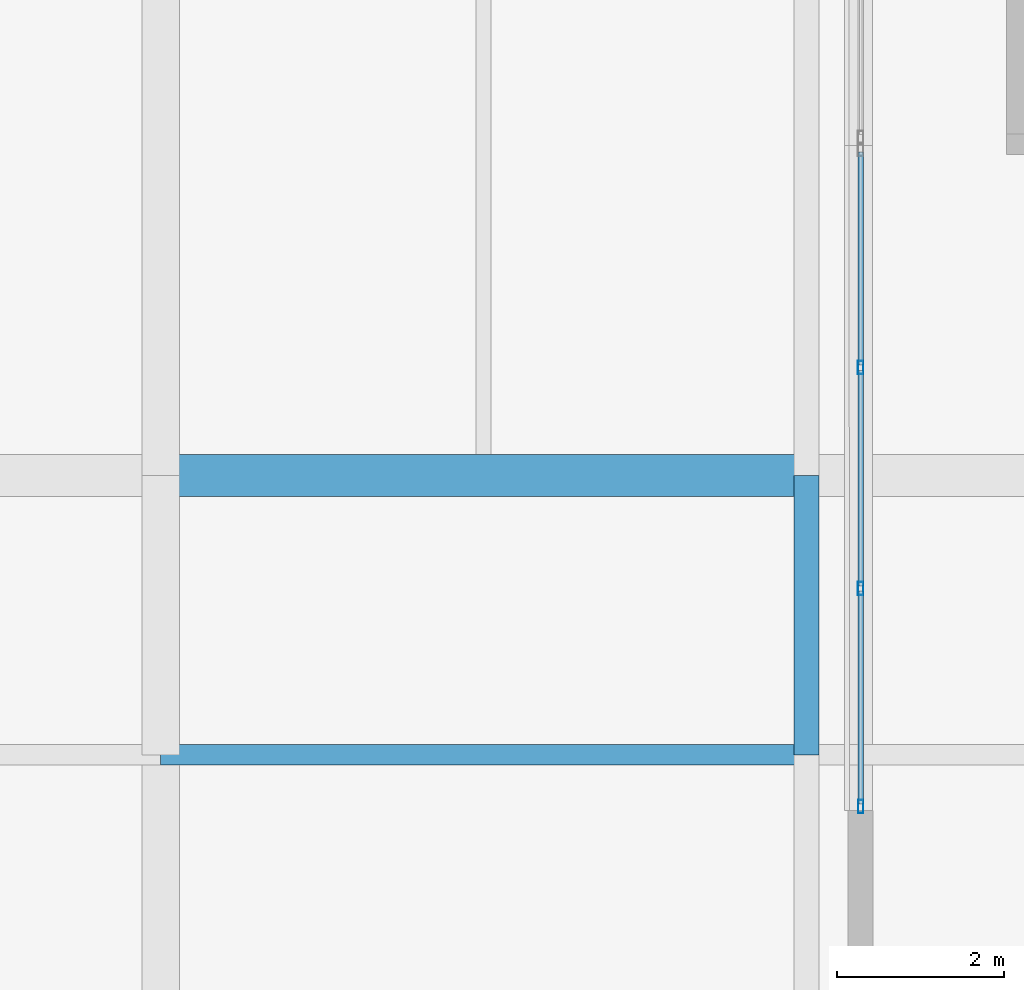
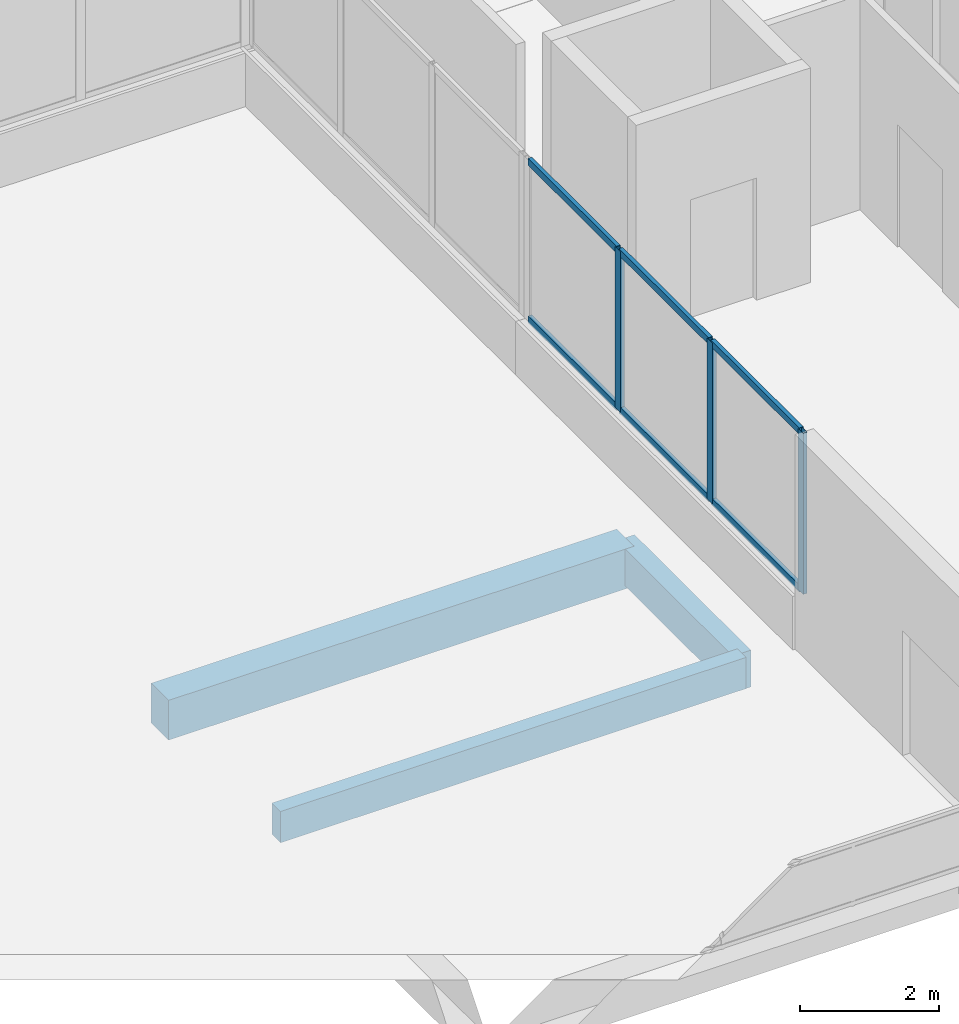
# One storey, part 43 of 78: 9 members, 3 beams, 1 element without a shape of its own.
"""IFC4 building model written with IfcOpenShell, lengths in metres."""

from ifc_helpers import new_model, si_unit, direction, frame, origin, origin_2d, place, context, subcontext, project, spatial, rectangle, hollow_rectangle, extrude, material, material_profile, profile_set, type_object, element, aggregate, save


model = new_model("IFC4")

# Units and contexts
model_context = context("Model", 3, precision=1e-05, world=origin(), true_north=direction((0.0, 1.0)))
body_context = subcontext(model_context, "Body", "Model", "MODEL_VIEW")
ifc_project = project(units=[si_unit("LENGTHUNIT", "METRE"), si_unit("AREAUNIT", "SQUARE_METRE"), si_unit("VOLUMEUNIT", "CUBIC_METRE"), si_unit("PLANEANGLEUNIT", "RADIAN"), si_unit("MASSUNIT", "GRAM", prefix="KILO")], contexts=[model_context])

# Site, building, storey
site_placement = place(None, origin())
site = spatial("IfcSite", under=ifc_project, at=site_placement, CompositionType="ELEMENT")
building_placement = place(site_placement, origin())
building = spatial("IfcBuilding", under=site, at=building_placement, Name="Selatvlak General Hospital", CompositionType="ELEMENT")
storey_placement = place(building_placement, frame((0.0, 0.0, 23.25)))
storey = spatial("IfcBuildingStorey", under=building, at=storey_placement, Name="L05", CompositionType="ELEMENT", Elevation=23.25)

# Beams
ifc_material_1 = material(Name="Concrete C40/50", Category="concrete")
ifc_material_profile_1 = material_profile(ifc_material_1, rectangle(XDim=0.5, YDim=0.699951171875, at=origin_2d()), Name="RC-BM 500x700")
ifc_profile_set_1 = profile_set([ifc_material_profile_1], Name="Concrete C40/50")
beam_type_1 = type_object("IfcBeamType", Name="BM-G03", PredefinedType="BEAM", material=ifc_profile_set_1)
beam_1_placement = place(storey_placement, frame((140.39990234375, 76.0, -0.64990234375), z_axis=(1.0, 0.0, 0.0), x_axis=(0.0, 1.0, 0.0)))
element("IfcBeam", 1, at=beam_1_placement, inside=storey, type_object=beam_type_1, Name="Beam BMR-L05-1874", PredefinedType="BEAM", context=body_context, shape_type="SweptSolid", body=[
    extrude(rectangle(XDim=0.5, YDim=0.699951171875, at=origin_2d()), origin(), (0.0, 0.0, 1.0), 7.75),
])
ifc_material_profile_2 = material_profile(ifc_material_1, rectangle(XDim=0.300048828125, YDim=0.64990234375, at=origin_2d()), Name="RC-SP 300x650")
ifc_profile_set_2 = profile_set([ifc_material_profile_2], Name="Concrete C40/50")
beam_type_2 = type_object("IfcBeamType", Name="BM-SP1", PredefinedType="SPANDREL", material=ifc_profile_set_2)
beam_2_placement = place(storey_placement, frame((148.14990234375, 72.64990234375, -0.625), z_axis=(0.0, 1.0, 0.0), x_axis=(-1.0, 0.0, 0.0)))
element("IfcBeam", 2, at=beam_2_placement, inside=storey, type_object=beam_type_2, Name="Beam BMR-L05-2072", PredefinedType="SPANDREL", context=body_context, shape_type="SweptSolid", body=[
    extrude(rectangle(XDim=0.300048828125, YDim=0.64990234375, at=origin_2d()), origin(), (0.0, 0.0, 1.0), 3.35009765625),
])
ifc_material_profile_3 = material_profile(ifc_material_1, rectangle(XDim=0.25, YDim=0.550048828125, at=origin_2d()), Name="RC-SP 250x550")
ifc_profile_set_3 = profile_set([ifc_material_profile_3], Name="Concrete C40/50")
beam_type_3 = type_object("IfcBeamType", Name="BM-SP2", PredefinedType="SPANDREL", material=ifc_profile_set_3)
beam_3_placement = place(storey_placement, frame((140.39990234375, 72.64990234375, -0.574951171875), z_axis=(1.0, 0.0, 0.0), x_axis=(0.0, 1.0, 0.0)))
element("IfcBeam", 3, at=beam_3_placement, inside=storey, type_object=beam_type_3, Name="Beam BMR-L05-1866", PredefinedType="SPANDREL", context=body_context, shape_type="SweptSolid", body=[
    extrude(rectangle(XDim=0.25, YDim=0.550048828125, at=origin_2d()), origin(), (0.0, 0.0, 1.0), 7.75),
])

# Curtain wall, members
ifc_material_2 = material(Name="Solar-control Low-E double glazing", Category="glass")
curtain_wall_type = type_object("IfcCurtainWallType", Name="CW-CW-02", PredefinedType="USERDEFINED", material=ifc_material_2)
curtain_wall_placement = place(storey_placement, origin())
curtain_wall = element("IfcCurtainWall", 4, at=curtain_wall_placement, inside=storey, type_object=curtain_wall_type, Name="Glazed facade curtain wall CW-L05-0577", ObjectType="UNITISED CURTAIN WALL", PredefinedType="USERDEFINED")
ifc_material_3 = material(Name="Dark anodised aluminium mullion", Category="aluminium")
ifc_material_profile_4 = material_profile(ifc_material_3, hollow_rectangle(XDim=0.06494140625, YDim=0.159912109375, WallThickness=0.00390625, at=origin_2d()), Name="AL-MUL 65x160x4")
ifc_profile_set_4 = profile_set([ifc_material_profile_4], Name="Dark anodised aluminium mullion")
member_type_1 = type_object("IfcMemberType", Name="CWM-01", PredefinedType="MULLION", material=ifc_profile_set_4)
member_1_placement = place(storey_placement, frame((148.801025390625, 72.027587890625, 0.93994140625), z_axis=(0.0, 0.0, 1.0), x_axis=(-0.999999992089, -0.000125786158, 0.0)))
member_1 = element("IfcMember", 5, at=member_1_placement, type_object=member_type_1, Name="CW-02 mullion 1", PredefinedType="MULLION", context=body_context, shape_type="SweptSolid", body=[
    extrude(hollow_rectangle(XDim=0.06494140625, YDim=0.159912109375, WallThickness=0.00390625, at=origin_2d()), origin(), (0.0, 0.0, 1.0), 2.8349609375),
])
member_2_placement = place(storey_placement, frame((148.80078125, 74.64501953125, 0.93994140625), z_axis=(0.0, 0.0, 1.0), x_axis=(-0.999999992089, -0.000125786158, 0.0)))
member_2 = element("IfcMember", 6, at=member_2_placement, type_object=member_type_1, Name="CW-02 mullion 2", PredefinedType="MULLION", context=body_context, shape_type="SweptSolid", body=[
    extrude(hollow_rectangle(XDim=0.06494140625, YDim=0.159912109375, WallThickness=0.00390625, at=origin_2d()), origin(), (0.0, 0.0, 1.0), 2.8349609375),
])
member_3_placement = place(storey_placement, frame((148.80029296875, 77.294921875, 0.93994140625), z_axis=(0.0, 0.0, 1.0), x_axis=(-0.999999992089, -0.000125786158, 0.0)))
member_3 = element("IfcMember", 7, at=member_3_placement, type_object=member_type_1, Name="CW-02 mullion 3", PredefinedType="MULLION", context=body_context, shape_type="SweptSolid", body=[
    extrude(hollow_rectangle(XDim=0.06494140625, YDim=0.159912109375, WallThickness=0.00390625, at=origin_2d()), origin(), (0.0, 0.0, 1.0), 2.8349609375),
])
ifc_material_profile_5 = material_profile(ifc_material_3, hollow_rectangle(XDim=0.06494140625, YDim=0.1201171875, WallThickness=0.00390625, at=origin_2d()), Name="AL-TRN 65x120x4")
ifc_profile_set_5 = profile_set([ifc_material_profile_5], Name="Dark anodised aluminium mullion")
member_type_2 = type_object("IfcMemberType", Name="CWT-01", PredefinedType="USERDEFINED", material=ifc_profile_set_5)
member_4_placement = place(storey_placement, frame((148.801025390625, 72.06005859375, 0.972412109375), z_axis=(-9.5648015e-05, 0.999999995426, 0.0), x_axis=(-0.999999995426, -9.5648015e-05, 0.0)))
member_4 = element("IfcMember", 8, at=member_4_placement, type_object=member_type_2, Name="CW-02 transom 1.1", ObjectType="TRANSOM", PredefinedType="USERDEFINED", context=body_context, shape_type="SweptSolid", body=[
    extrude(hollow_rectangle(XDim=0.06494140625, YDim=0.1201171875, WallThickness=0.00390625, at=origin_2d()), origin(), (0.0, 0.0, 1.0), 2.552490234375),
])
member_5_placement = place(storey_placement, frame((148.801025390625, 72.06005859375, 3.742431640625), z_axis=(-9.5648015e-05, 0.999999995426, 0.0), x_axis=(-0.999999995426, -9.5648015e-05, 0.0)))
member_5 = element("IfcMember", 9, at=member_5_placement, type_object=member_type_2, Name="CW-02 transom 1.2", ObjectType="TRANSOM", PredefinedType="USERDEFINED", context=body_context, shape_type="SweptSolid", body=[
    extrude(hollow_rectangle(XDim=0.06494140625, YDim=0.1201171875, WallThickness=0.00390625, at=origin_2d()), origin(), (0.0, 0.0, 1.0), 2.552490234375),
])
member_6_placement = place(storey_placement, frame((148.80078125, 74.677490234375, 0.972412109375), z_axis=(-0.000188893083, 0.99999998216, 0.0), x_axis=(-0.99999998216, -0.000188893083, 0.0)))
member_6 = element("IfcMember", 10, at=member_6_placement, type_object=member_type_2, Name="CW-02 transom 2.1", ObjectType="TRANSOM", PredefinedType="USERDEFINED", context=body_context, shape_type="SweptSolid", body=[
    extrude(hollow_rectangle(XDim=0.06494140625, YDim=0.1201171875, WallThickness=0.00390625, at=origin_2d()), origin(), (0.0, 0.0, 1.0), 2.5849609375),
])
member_7_placement = place(storey_placement, frame((148.80078125, 74.677490234375, 3.742431640625), z_axis=(-0.000188893083, 0.99999998216, 0.0), x_axis=(-0.99999998216, -0.000188893083, 0.0)))
member_7 = element("IfcMember", 11, at=member_7_placement, type_object=member_type_2, Name="CW-02 transom 2.2", ObjectType="TRANSOM", PredefinedType="USERDEFINED", context=body_context, shape_type="SweptSolid", body=[
    extrude(hollow_rectangle(XDim=0.06494140625, YDim=0.1201171875, WallThickness=0.00390625, at=origin_2d()), origin(), (0.0, 0.0, 1.0), 2.5849609375),
])
member_8_placement = place(storey_placement, frame((148.80029296875, 77.327392578125, 0.972412109375), z_axis=(-9.5648015e-05, 0.999999995426, 0.0), x_axis=(-0.999999995426, -9.5648015e-05, 0.0)))
member_8 = element("IfcMember", 12, at=member_8_placement, type_object=member_type_2, Name="CW-02 transom 3.1", ObjectType="TRANSOM", PredefinedType="USERDEFINED", context=body_context, shape_type="SweptSolid", body=[
    extrude(hollow_rectangle(XDim=0.06494140625, YDim=0.1201171875, WallThickness=0.00390625, at=origin_2d()), origin(), (0.0, 0.0, 1.0), 2.552490234375),
])
member_9_placement = place(storey_placement, frame((148.80029296875, 77.327392578125, 3.742431640625), z_axis=(-9.5648015e-05, 0.999999995426, 0.0), x_axis=(-0.999999995426, -9.5648015e-05, 0.0)))
member_9 = element("IfcMember", 13, at=member_9_placement, type_object=member_type_2, Name="CW-02 transom 3.2", ObjectType="TRANSOM", PredefinedType="USERDEFINED", context=body_context, shape_type="SweptSolid", body=[
    extrude(hollow_rectangle(XDim=0.06494140625, YDim=0.1201171875, WallThickness=0.00390625, at=origin_2d()), origin(), (0.0, 0.0, 1.0), 2.552490234375),
])
aggregate(curtain_wall, [member_1, member_2, member_3, member_4, member_5, member_6, member_7, member_8, member_9])

save(model, "model.ifc")
